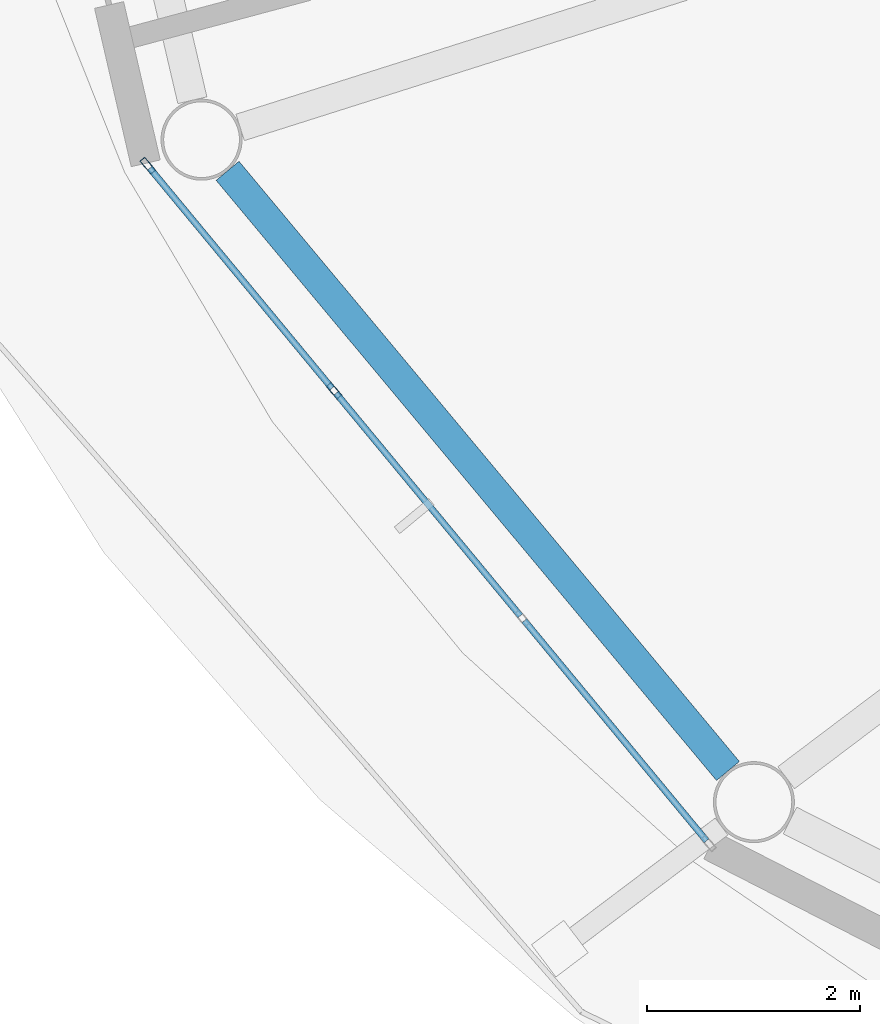
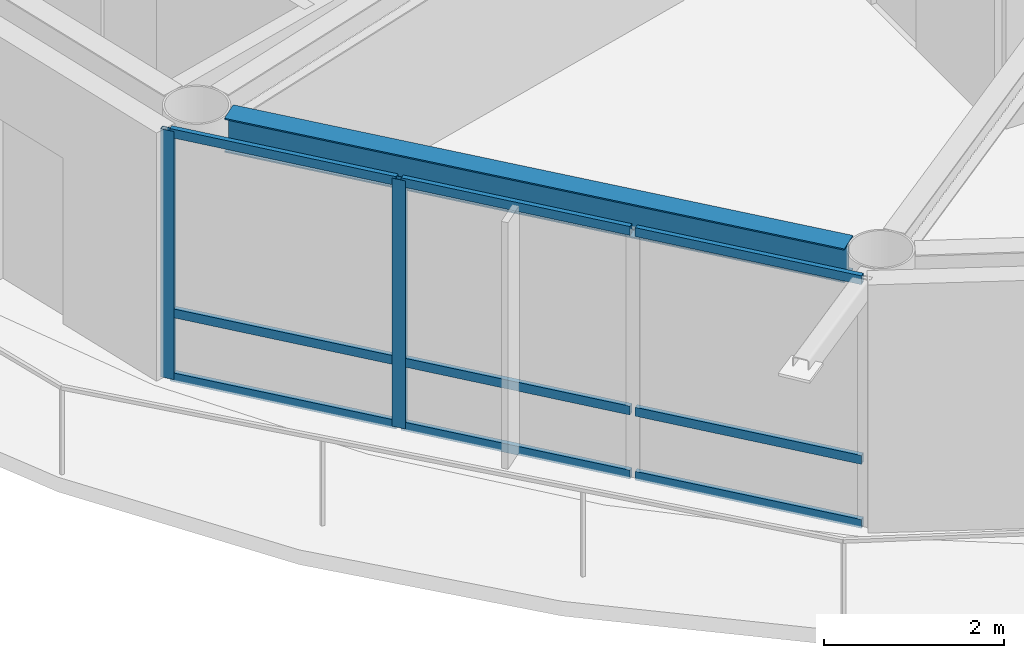
# One storey, part 3 of 23: 11 members, 1 beam, 1 element without a shape of its own.
"""IFC4 building model written with IfcOpenShell, lengths in metres."""

from ifc_helpers import new_model, si_unit, direction, frame, origin, origin_2d, place, context, subcontext, project, spatial, hollow_rectangle, i_section, extrude, material, layer, layer_set, material_profile, profile_set, type_object, element, aggregate, save


model = new_model("IFC4")

# Units and contexts
model_context = context("Model", 3, precision=1e-05, world=origin(), true_north=direction((0.0, 1.0)))
body_context = subcontext(model_context, "Body", "Model", "MODEL_VIEW")
ifc_project = project(units=[si_unit("LENGTHUNIT", "METRE"), si_unit("AREAUNIT", "SQUARE_METRE"), si_unit("VOLUMEUNIT", "CUBIC_METRE"), si_unit("PLANEANGLEUNIT", "RADIAN"), si_unit("MASSUNIT", "GRAM", prefix="KILO")], contexts=[model_context])

# Site, building, storey
site_placement = place(None, origin())
site = spatial("IfcSite", under=ifc_project, at=site_placement, CompositionType="ELEMENT")
building_placement = place(site_placement, origin())
building = spatial("IfcBuilding", under=site, at=building_placement, Name="Sarneth Arch Tower", CompositionType="ELEMENT")
storey_placement = place(building_placement, frame((0.0, 0.0, 265.800048828125)))
storey = spatial("IfcBuildingStorey", under=building, at=storey_placement, Name="L68", CompositionType="ELEMENT", Elevation=265.800048828125)

# Beam
ifc_material_1 = material(Name="Steel S355", Category="steel")
ifc_material_profile_1 = material_profile(ifc_material_1, i_section(OverallWidth=0.280029296875, OverallDepth=0.462890625, WebThickness=0.0107421875, FlangeThickness=0.017333984375, FilletRadius=0.01806640625, at=origin_2d()), Name="W460x113")
ifc_profile_set_1 = profile_set([ifc_material_profile_1], Name="Steel S355")
beam_type = type_object("IfcBeamType", Name="BM-RAD-460A", PredefinedType="BEAM", material=ifc_profile_set_1)
beam_placement = place(storey_placement, frame((25.0751953125, 34.35986328125, 3.138427734375), z_axis=(0.640377192996, -0.768060577487, 0.0), x_axis=(0.768060577487, 0.640377192996, 0.0)))
element("IfcBeam", 1, at=beam_placement, inside=storey, type_object=beam_type, Name="L68 Perimeter spandrel beam 10", PredefinedType="BEAM", context=body_context, shape_type="SweptSolid", body=[
    extrude(i_section(OverallWidth=0.280029296875, OverallDepth=0.462890625, WebThickness=0.0107421875, FlangeThickness=0.017333984375, FilletRadius=0.01806640625, at=origin_2d()), origin(), (0.0, 0.0, 1.0), 7.34814453125),
])

# Curtain wall, members
ifc_material_2 = material(Name="Anodised aluminium Type AA25 and solar-control low-e laminated IGU", Category="aluminium")
ifc_layer = layer(ifc_material_2, 0.179931640625)
ifc_layer_set = layer_set([ifc_layer], Name="Anodised aluminium Type AA25 and solar-control low-e laminated IGU")
curtain_wall_type = type_object("IfcCurtainWallType", Name="CW-RES-HIGH", PredefinedType="NOTDEFINED", material=ifc_layer_set)
curtain_wall_placement = place(storey_placement, origin())
curtain_wall = element("IfcCurtainWall", 2, at=curtain_wall_placement, inside=storey, type_object=curtain_wall_type, Name="L68 Unitised curtain wall facet 10", PredefinedType="NOTDEFINED")
ifc_material_3 = material(Name="Anodised Aluminium 6063-T6", Category="aluminium")
ifc_material_profile_2 = material_profile(ifc_material_3, hollow_rectangle(XDim=0.06005859375, YDim=0.159912109375, WallThickness=0.00390625, at=origin_2d()), Name="AL-MULL-160x60x4")
ifc_profile_set_2 = profile_set([ifc_material_profile_2], Name="Anodised Aluminium 6063-T6")
member_type_1 = type_object("IfcMemberType", Name="CW-MULLION", PredefinedType="MULLION", material=ifc_profile_set_2)
member_1_placement = place(storey_placement, frame((24.325439453125, 34.407470703125, 0.0), z_axis=(0.0, 0.0, 1.0), x_axis=(0.770359245933, 0.637610094184, 0.0)))
member_1 = element("IfcMember", 3, at=member_1_placement, type_object=member_type_1, Name="CW-SYS-6 mullion 1", PredefinedType="MULLION", context=body_context, shape_type="SweptSolid", body=[
    extrude(hollow_rectangle(XDim=0.06005859375, YDim=0.159912109375, WallThickness=0.00390625, at=origin_2d()), origin(), (0.0, 0.0, 1.0), 3.369873046875),
])
member_2_placement = place(storey_placement, frame((26.07666015625, 32.29150390625, 0.0), z_axis=(0.0, 0.0, 1.0), x_axis=(0.770359245933, 0.637610094184, 0.0)))
member_2 = element("IfcMember", 4, at=member_2_placement, type_object=member_type_1, Name="CW-SYS-6 mullion 2", PredefinedType="MULLION", context=body_context, shape_type="SweptSolid", body=[
    extrude(hollow_rectangle(XDim=0.06005859375, YDim=0.159912109375, WallThickness=0.00390625, at=origin_2d()), origin(), (0.0, 0.0, 1.0), 3.369873046875),
])
ifc_material_4 = material(Name="Anodised Aluminium 6063-T6", Category="aluminium")
ifc_material_profile_3 = material_profile(ifc_material_4, hollow_rectangle(XDim=0.06005859375, YDim=0.1201171875, WallThickness=0.00390625, at=origin_2d()), Name="AL-TRAN-120x60x4")
ifc_profile_set_3 = profile_set([ifc_material_profile_3], Name="Anodised Aluminium 6063-T6")
member_type_2 = type_object("IfcMemberType", Name="CW-TRANSOM", PredefinedType="USERDEFINED", material=ifc_profile_set_3)
member_3_placement = place(storey_placement, frame((24.344482421875, 34.38427734375, 0.030029296875), z_axis=(0.637651400067, -0.770325056059, 0.0), x_axis=(0.770325056059, 0.637651400067, 0.0)))
member_3 = element("IfcMember", 5, at=member_3_placement, type_object=member_type_2, Name="CW-SYS-6 transom 1.1", ObjectType="TRANSOM", PredefinedType="USERDEFINED", context=body_context, shape_type="SweptSolid", body=[
    extrude(hollow_rectangle(XDim=0.06005859375, YDim=0.1201171875, WallThickness=0.00390625, at=origin_2d()), origin(), (0.0, 0.0, 1.0), 2.6865234375),
])
member_4_placement = place(storey_placement, frame((24.344482421875, 34.38427734375, 0.89990234375), z_axis=(0.637651400067, -0.770325056059, 0.0), x_axis=(0.770325056059, 0.637651400067, 0.0)))
member_4 = element("IfcMember", 6, at=member_4_placement, type_object=member_type_2, Name="CW-SYS-6 transom 1.2", ObjectType="TRANSOM", PredefinedType="USERDEFINED", context=body_context, shape_type="SweptSolid", body=[
    extrude(hollow_rectangle(XDim=0.06005859375, YDim=0.1201171875, WallThickness=0.00390625, at=origin_2d()), origin(), (0.0, 0.0, 1.0), 2.6865234375),
])
member_5_placement = place(storey_placement, frame((24.344482421875, 34.38427734375, 3.33984375), z_axis=(0.637651400067, -0.770325056059, 0.0), x_axis=(0.770325056059, 0.637651400067, 0.0)))
member_5 = element("IfcMember", 7, at=member_5_placement, type_object=member_type_2, Name="CW-SYS-6 transom 1.3", ObjectType="TRANSOM", PredefinedType="USERDEFINED", context=body_context, shape_type="SweptSolid", body=[
    extrude(hollow_rectangle(XDim=0.06005859375, YDim=0.1201171875, WallThickness=0.00390625, at=origin_2d()), origin(), (0.0, 0.0, 1.0), 2.6865234375),
])
member_6_placement = place(storey_placement, frame((26.095703125, 32.268310546875, 0.030029296875), z_axis=(0.637617371902, -0.770353222261, 0.0), x_axis=(0.770353222261, 0.637617371902, 0.0)))
member_6 = element("IfcMember", 8, at=member_6_placement, type_object=member_type_2, Name="CW-SYS-6 transom 2.1", ObjectType="TRANSOM", PredefinedType="USERDEFINED", context=body_context, shape_type="SweptSolid", body=[
    extrude(hollow_rectangle(XDim=0.06005859375, YDim=0.1201171875, WallThickness=0.00390625, at=origin_2d()), origin(), (0.0, 0.0, 1.0), 2.716552734375),
])
member_7_placement = place(storey_placement, frame((26.095703125, 32.268310546875, 0.89990234375), z_axis=(0.637617371902, -0.770353222261, 0.0), x_axis=(0.770353222261, 0.637617371902, 0.0)))
member_7 = element("IfcMember", 9, at=member_7_placement, type_object=member_type_2, Name="CW-SYS-6 transom 2.2", ObjectType="TRANSOM", PredefinedType="USERDEFINED", context=body_context, shape_type="SweptSolid", body=[
    extrude(hollow_rectangle(XDim=0.06005859375, YDim=0.1201171875, WallThickness=0.00390625, at=origin_2d()), origin(), (0.0, 0.0, 1.0), 2.716552734375),
])
member_8_placement = place(storey_placement, frame((26.095703125, 32.268310546875, 3.33984375), z_axis=(0.637617371902, -0.770353222261, 0.0), x_axis=(0.770353222261, 0.637617371902, 0.0)))
member_8 = element("IfcMember", 10, at=member_8_placement, type_object=member_type_2, Name="CW-SYS-6 transom 2.3", ObjectType="TRANSOM", PredefinedType="USERDEFINED", context=body_context, shape_type="SweptSolid", body=[
    extrude(hollow_rectangle(XDim=0.06005859375, YDim=0.1201171875, WallThickness=0.00390625, at=origin_2d()), origin(), (0.0, 0.0, 1.0), 2.716552734375),
])
member_9_placement = place(storey_placement, frame((27.8662109375, 30.12939453125, 0.030029296875), z_axis=(0.637606765719, -0.770362000821, 0.0), x_axis=(0.770362000821, 0.637606765719, 0.0)))
member_9 = element("IfcMember", 11, at=member_9_placement, type_object=member_type_2, Name="CW-SYS-6 transom 3.1", ObjectType="TRANSOM", PredefinedType="USERDEFINED", context=body_context, shape_type="SweptSolid", body=[
    extrude(hollow_rectangle(XDim=0.06005859375, YDim=0.1201171875, WallThickness=0.00390625, at=origin_2d()), origin(), (0.0, 0.0, 1.0), 2.686767578125),
])
member_10_placement = place(storey_placement, frame((27.8662109375, 30.12939453125, 0.89990234375), z_axis=(0.637606765719, -0.770362000821, 0.0), x_axis=(0.770362000821, 0.637606765719, 0.0)))
member_10 = element("IfcMember", 12, at=member_10_placement, type_object=member_type_2, Name="CW-SYS-6 transom 3.2", ObjectType="TRANSOM", PredefinedType="USERDEFINED", context=body_context, shape_type="SweptSolid", body=[
    extrude(hollow_rectangle(XDim=0.06005859375, YDim=0.1201171875, WallThickness=0.00390625, at=origin_2d()), origin(), (0.0, 0.0, 1.0), 2.686767578125),
])
member_11_placement = place(storey_placement, frame((27.8662109375, 30.12939453125, 3.33984375), z_axis=(0.637606765719, -0.770362000821, 0.0), x_axis=(0.770362000821, 0.637606765719, 0.0)))
member_11 = element("IfcMember", 13, at=member_11_placement, type_object=member_type_2, Name="CW-SYS-6 transom 3.3", ObjectType="TRANSOM", PredefinedType="USERDEFINED", context=body_context, shape_type="SweptSolid", body=[
    extrude(hollow_rectangle(XDim=0.06005859375, YDim=0.1201171875, WallThickness=0.00390625, at=origin_2d()), origin(), (0.0, 0.0, 1.0), 2.686767578125),
])
aggregate(curtain_wall, [member_1, member_2, member_3, member_4, member_5, member_6, member_7, member_8, member_9, member_10, member_11])

save(model, "model.ifc")
